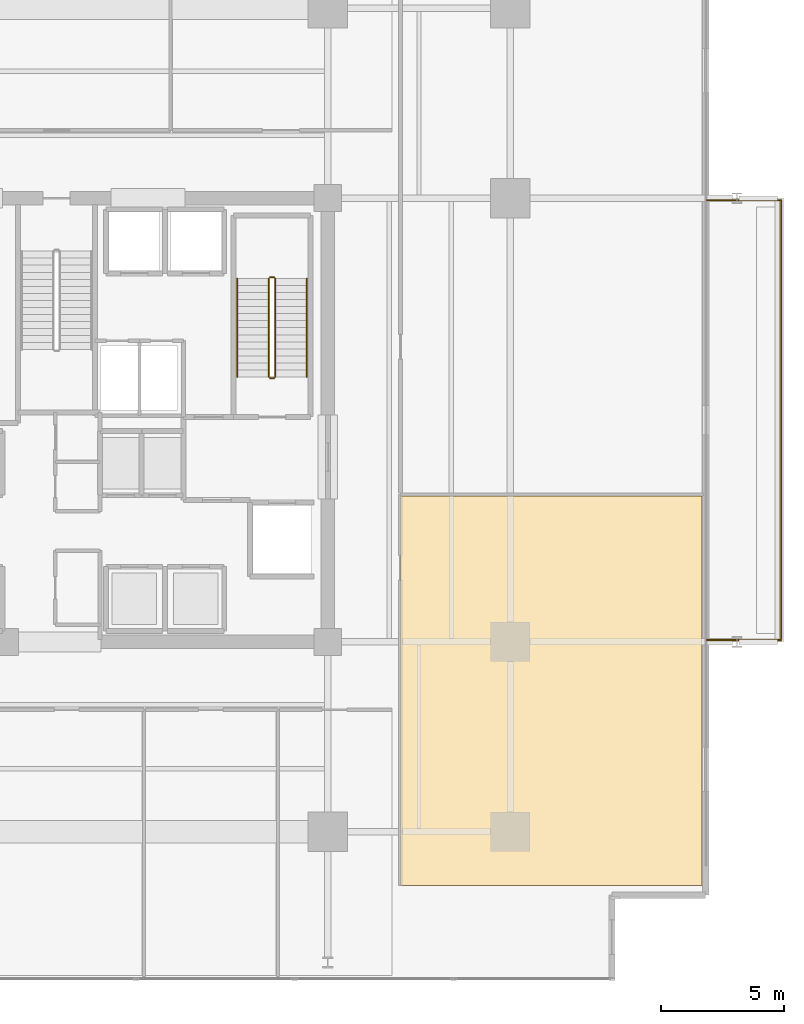
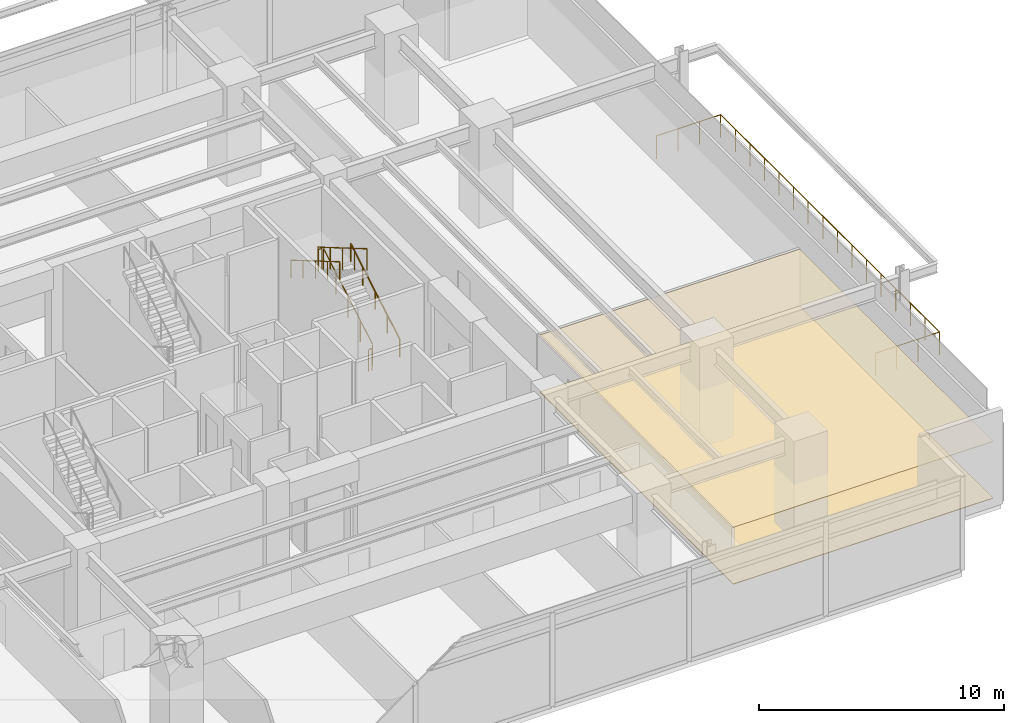
# One storey, part 22 of 24: 7 railings, 2 coverings.
"""IFC4 building model written with IfcOpenShell, lengths in metres."""

from ifc_helpers import new_model, si_unit, direction, frame, origin, origin_2d, place, context, subcontext, project, spatial, polyline, circle, outline, extrude, material, layer, layer_set, type_object, element, save


model = new_model("IFC4")

# Units and contexts
model_context = context("Model", 3, precision=1e-05, world=origin(), true_north=direction((0.0, 1.0)))
body_context = subcontext(model_context, "Body", "Model", "MODEL_VIEW")
ifc_project = project(units=[si_unit("LENGTHUNIT", "METRE"), si_unit("AREAUNIT", "SQUARE_METRE"), si_unit("VOLUMEUNIT", "CUBIC_METRE"), si_unit("PLANEANGLEUNIT", "RADIAN"), si_unit("MASSUNIT", "GRAM", prefix="KILO")], contexts=[model_context])

# Site, building, storey
site_placement = place(None, origin())
site = spatial("IfcSite", under=ifc_project, at=site_placement, CompositionType="ELEMENT")
building_placement = place(site_placement, origin())
building = spatial("IfcBuilding", under=site, at=building_placement, Name="Kovane Verandah Tower", CompositionType="ELEMENT")
storey_placement = place(building_placement, frame((0.0, 0.0, 118.39990234375)))
storey = spatial("IfcBuildingStorey", under=building, at=storey_placement, Name="L27", CompositionType="ELEMENT", Elevation=118.39990234375)

# Coverings
ifc_material_1 = material(Name="Perforated Acoustic Mineral-Fibre Ceiling Tile", Category="gypsum")
ifc_layer_1 = layer(ifc_material_1, 0.02490234375)
ifc_layer_set_1 = layer_set([ifc_layer_1], Name="Perforated Acoustic Mineral-Fibre Ceiling Tile")
covering_type_1 = type_object("IfcCoveringType", Name="CV-CEIL-25", PredefinedType="CEILING", material=ifc_layer_set_1)
covering_1_placement = place(storey_placement, frame((0.0, 0.0, 2.8251953125)))
element("IfcCovering", 1, at=covering_1_placement, inside=storey, type_object=covering_type_1, Name="L27 Meeting Room E1 Acoustic Ceiling", PredefinedType="CEILING", context=body_context, shape_type="SweptSolid", body=[
    extrude(outline(polyline([(53.949951171875, 8.629150390625), (66.179931640625, 8.629150390625), (66.179931640625, 24.41064453125), (53.949951171875, 24.41064453125), (53.949951171875, 8.629150390625)])), origin(), (0.0, 0.0, 1.0), 0.02490234375),
])
ifc_material_2 = material(Name="Polished Terrazzo and Raised-Access Carpet Tile Finish", Category="concrete")
ifc_layer_2 = layer(ifc_material_2, 0.030029296875)
ifc_layer_set_2 = layer_set([ifc_layer_2], Name="Polished Terrazzo and Raised-Access Carpet Tile Finish")
covering_type_2 = type_object("IfcCoveringType", Name="CV-FLOR-30", PredefinedType="FLOORING", material=ifc_layer_set_2)
covering_2_placement = place(storey_placement, origin())
element("IfcCovering", 2, at=covering_2_placement, inside=storey, type_object=covering_type_2, Name="L27 Meeting Room E1 Floor Finish", PredefinedType="FLOORING", context=body_context, shape_type="SweptSolid", body=[
    extrude(outline(polyline([(53.949951171875, 8.629150390625), (66.179931640625, 8.629150390625), (66.179931640625, 24.41064453125), (53.949951171875, 24.41064453125), (53.949951171875, 8.629150390625)])), origin(), (0.0, 0.0, 1.0), 0.030029296875),
])

# Railings
ifc_material_3 = material(Name="Laminated Glass and Pale-Champagne Stainless Balustrade", Category="glass")
railing_type_1 = type_object("IfcRailingType", Name="RL-BAL-1150", PredefinedType="BALUSTRADE", material=ifc_material_3)
railing_1_placement = place(storey_placement, frame((66.3798828125, 18.580078125, 0.0)))
element("IfcRailing", 3, at=railing_1_placement, inside=storey, type_object=railing_type_1, Name="L27 E Verandah Glass Balustrade", PredefinedType="BALUSTRADE", context=body_context, shape_type="SweptSolid", body=[
    extrude(circle(Radius=0.02392578125, at=origin_2d()), frame((0.0, 0.0, 1.1259765625), z_axis=(1.0, 0.0, 0.0), x_axis=(0.0, 1.0, 0.0)), (0.0, 0.0, 1.0), 3.02001953125),
    extrude(circle(Radius=0.02392578125, at=origin_2d()), frame((3.02001953125, 0.0, 1.1259765625), z_axis=(0.0, 1.0, 0.0), x_axis=(-1.0, 0.0, 0.0)), (0.0, 0.0, 1.0), 17.83984375),
    extrude(circle(Radius=0.02392578125, at=origin_2d()), frame((3.02001953125, 17.83984375, 1.1259765625), z_axis=(-1.0, 0.0, 0.0), x_axis=(0.0, -1.0, 0.0)), (0.0, 0.0, 1.0), 3.02001953125),
    extrude(circle(Radius=0.02099609375, at=origin_2d()), origin(), (0.0, 0.0, 1.0), 1.101806640625),
    extrude(circle(Radius=0.02099609375, at=origin_2d()), frame((1.006591796875, 0.0, 0.0)), (0.0, 0.0, 1.0), 1.101806640625),
    extrude(circle(Radius=0.02099609375, at=origin_2d()), frame((2.013427734375, 0.0, 0.0)), (0.0, 0.0, 1.0), 1.101806640625),
    extrude(circle(Radius=0.02099609375, at=origin_2d()), frame((3.02001953125, 0.0, 0.0)), (0.0, 0.0, 1.0), 1.101806640625),
    extrude(circle(Radius=0.02099609375, at=origin_2d()), frame((3.02001953125, 1.189208984375, 0.0)), (0.0, 0.0, 1.0), 1.101806640625),
    extrude(circle(Radius=0.02099609375, at=origin_2d()), frame((3.02001953125, 2.378662109375, 0.0)), (0.0, 0.0, 1.0), 1.101806640625),
    extrude(circle(Radius=0.02099609375, at=origin_2d()), frame((3.02001953125, 3.56787109375, 0.0)), (0.0, 0.0, 1.0), 1.101806640625),
    extrude(circle(Radius=0.02099609375, at=origin_2d()), frame((3.02001953125, 4.75732421875, 0.0)), (0.0, 0.0, 1.0), 1.101806640625),
    extrude(circle(Radius=0.02099609375, at=origin_2d()), frame((3.02001953125, 5.946533203125, 0.0)), (0.0, 0.0, 1.0), 1.101806640625),
    extrude(circle(Radius=0.02099609375, at=origin_2d()), frame((3.02001953125, 7.135986328125, 0.0)), (0.0, 0.0, 1.0), 1.101806640625),
    extrude(circle(Radius=0.02099609375, at=origin_2d()), frame((3.02001953125, 8.3251953125, 0.0)), (0.0, 0.0, 1.0), 1.101806640625),
    extrude(circle(Radius=0.02099609375, at=origin_2d()), frame((3.02001953125, 9.5146484375, 0.0)), (0.0, 0.0, 1.0), 1.101806640625),
    extrude(circle(Radius=0.02099609375, at=origin_2d()), frame((3.02001953125, 10.703857421875, 0.0)), (0.0, 0.0, 1.0), 1.101806640625),
    extrude(circle(Radius=0.02099609375, at=origin_2d()), frame((3.02001953125, 11.893310546875, 0.0)), (0.0, 0.0, 1.0), 1.101806640625),
    extrude(circle(Radius=0.02099609375, at=origin_2d()), frame((3.02001953125, 13.08251953125, 0.0)), (0.0, 0.0, 1.0), 1.101806640625),
    extrude(circle(Radius=0.02099609375, at=origin_2d()), frame((3.02001953125, 14.27197265625, 0.0)), (0.0, 0.0, 1.0), 1.101806640625),
    extrude(circle(Radius=0.02099609375, at=origin_2d()), frame((3.02001953125, 15.461181640625, 0.0)), (0.0, 0.0, 1.0), 1.101806640625),
    extrude(circle(Radius=0.02099609375, at=origin_2d()), frame((3.02001953125, 16.650634765625, 0.0)), (0.0, 0.0, 1.0), 1.101806640625),
    extrude(circle(Radius=0.02099609375, at=origin_2d()), frame((3.02001953125, 17.83984375, 0.0)), (0.0, 0.0, 1.0), 1.101806640625),
    extrude(circle(Radius=0.02099609375, at=origin_2d()), frame((2.013427734375, 17.83984375, 0.0)), (0.0, 0.0, 1.0), 1.101806640625),
    extrude(circle(Radius=0.02099609375, at=origin_2d()), frame((1.006591796875, 17.83984375, 0.0)), (0.0, 0.0, 1.0), 1.101806640625),
    extrude(circle(Radius=0.02099609375, at=origin_2d()), frame((0.0, 17.83984375, 0.0)), (0.0, 0.0, 1.0), 1.101806640625),
])
ifc_material_4 = material(Name="Brushed Stainless Steel Handrail", Category="steel")
railing_type_2 = type_object("IfcRailingType", Name="RL-HAND-920", PredefinedType="HANDRAIL", material=ifc_material_4)
railing_2_placement = place(storey_placement, frame((50.14990234375, 29.25, 0.166748046875)))
element("IfcRailing", 4, at=railing_2_placement, inside=storey, type_object=railing_type_2, Name="L27 ST-02 stair handrail 1", PredefinedType="HANDRAIL", context=body_context, shape_type="SweptSolid", body=[
    extrude(circle(Radius=0.02392578125, at=origin_2d()), frame((0.0, 0.0, 0.8759765625), z_axis=(0.0, 0.863236243904, 0.504800145811), x_axis=(-1.0, 0.0, 0.0)), (0.0, 0.0, 1.0), 4.6220703125),
    extrude(circle(Radius=0.02099609375, at=origin_2d()), origin(), (0.0, 0.0, 1.0), 0.851806640625),
    extrude(circle(Radius=0.02099609375, at=origin_2d()), frame((0.0, 0.99755859375, 0.583251953125)), (0.0, 0.0, 1.0), 0.851806640625),
    extrude(circle(Radius=0.02099609375, at=origin_2d()), frame((0.0, 1.9951171875, 1.16650390625)), (0.0, 0.0, 1.0), 0.851806640625),
    extrude(circle(Radius=0.02099609375, at=origin_2d()), frame((0.0, 2.992431640625, 1.75)), (0.0, 0.0, 1.0), 0.851806640625),
    extrude(circle(Radius=0.02099609375, at=origin_2d()), frame((0.0, 3.989990234375, 2.333251953125)), (0.0, 0.0, 1.0), 0.851806640625),
])
railing_3_placement = place(storey_placement, frame((47.330078125, 33.239990234375, 2.666748046875)))
element("IfcRailing", 5, at=railing_3_placement, inside=storey, type_object=railing_type_2, Name="L27 ST-02 stair handrail 2", PredefinedType="HANDRAIL", context=body_context, shape_type="SweptSolid", body=[
    extrude(circle(Radius=0.02392578125, at=origin_2d()), frame((0.0, 0.0, 0.8759765625), z_axis=(0.0, -0.863236243904, 0.504800145811), x_axis=(1.0, 0.0, 0.0)), (0.0, 0.0, 1.0), 4.6220703125),
    extrude(circle(Radius=0.02099609375, at=origin_2d()), origin(), (0.0, 0.0, 1.0), 0.851806640625),
    extrude(circle(Radius=0.02099609375, at=origin_2d()), frame((0.0, -0.99755859375, 0.583251953125)), (0.0, 0.0, 1.0), 0.851806640625),
    extrude(circle(Radius=0.02099609375, at=origin_2d()), frame((0.0, -1.9951171875, 1.16650390625)), (0.0, 0.0, 1.0), 0.851806640625),
    extrude(circle(Radius=0.02099609375, at=origin_2d()), frame((0.0, -2.992431640625, 1.75)), (0.0, 0.0, 1.0), 0.851806640625),
    extrude(circle(Radius=0.02099609375, at=origin_2d()), frame((0.0, -3.989990234375, 2.333251953125)), (0.0, 0.0, 1.0), 0.851806640625),
])
ifc_material_5 = material(Name="Painted Steel Stairwell Guardrail", Category="steel")
railing_type_3 = type_object("IfcRailingType", Name="RL-STGUARD-1120", PredefinedType="GUARDRAIL", material=ifc_material_5)
railing_4_placement = place(storey_placement, frame((48.8701171875, 29.25, 0.166748046875)))
element("IfcRailing", 6, at=railing_4_placement, inside=storey, type_object=railing_type_3, Name="L27 ST-02 stair guard 1", PredefinedType="GUARDRAIL", context=body_context, shape_type="SweptSolid", body=[
    extrude(circle(Radius=0.02392578125, at=origin_2d()), frame((0.0, 0.0, 1.076171875), z_axis=(0.0, 0.863236243904, 0.504800145811), x_axis=(-1.0, 0.0, 0.0)), (0.0, 0.0, 1.0), 4.6220703125),
    extrude(circle(Radius=0.02099609375, at=origin_2d()), origin(), (0.0, 0.0, 1.0), 1.052001953125),
    extrude(circle(Radius=0.02099609375, at=origin_2d()), frame((0.0, 0.99755859375, 0.583251953125)), (0.0, 0.0, 1.0), 1.052001953125),
    extrude(circle(Radius=0.02099609375, at=origin_2d()), frame((0.0, 1.9951171875, 1.16650390625)), (0.0, 0.0, 1.0), 1.052001953125),
    extrude(circle(Radius=0.02099609375, at=origin_2d()), frame((0.0, 2.992431640625, 1.75)), (0.0, 0.0, 1.0), 1.052001953125),
    extrude(circle(Radius=0.02099609375, at=origin_2d()), frame((0.0, 3.989990234375, 2.333251953125)), (0.0, 0.0, 1.0), 1.052001953125),
])
railing_5_placement = place(storey_placement, frame((48.820068359375, 33.2900390625, 2.5)))
element("IfcRailing", 7, at=railing_5_placement, inside=storey, type_object=railing_type_3, Name="L27 ST-02 stair guard 2", PredefinedType="GUARDRAIL", context=body_context, shape_type="SweptSolid", body=[
    extrude(circle(Radius=0.02392578125, at=origin_2d()), frame((0.0, 0.0, 1.076171875), z_axis=(-1.0, 0.0, 0.0), x_axis=(0.0, -1.0, 0.0)), (0.0, 0.0, 1.0), 0.16015625),
    extrude(circle(Radius=0.02099609375, at=origin_2d()), origin(), (0.0, 0.0, 1.0), 1.052001953125),
    extrude(circle(Radius=0.02099609375, at=origin_2d()), frame((-0.16015625, 0.0, 0.0)), (0.0, 0.0, 1.0), 1.052001953125),
])
railing_6_placement = place(storey_placement, frame((48.610107421875, 33.239990234375, 2.666748046875)))
element("IfcRailing", 8, at=railing_6_placement, inside=storey, type_object=railing_type_3, Name="L27 ST-02 stair guard 3", PredefinedType="GUARDRAIL", context=body_context, shape_type="SweptSolid", body=[
    extrude(circle(Radius=0.02392578125, at=origin_2d()), frame((0.0, 0.0, 1.076171875), z_axis=(0.0, -0.863236243904, 0.504800145811), x_axis=(1.0, 0.0, 0.0)), (0.0, 0.0, 1.0), 4.6220703125),
    extrude(circle(Radius=0.02099609375, at=origin_2d()), origin(), (0.0, 0.0, 1.0), 1.052001953125),
    extrude(circle(Radius=0.02099609375, at=origin_2d()), frame((0.0, -0.99755859375, 0.583251953125)), (0.0, 0.0, 1.0), 1.052001953125),
    extrude(circle(Radius=0.02099609375, at=origin_2d()), frame((0.0, -1.9951171875, 1.16650390625)), (0.0, 0.0, 1.0), 1.052001953125),
    extrude(circle(Radius=0.02099609375, at=origin_2d()), frame((0.0, -2.992431640625, 1.75)), (0.0, 0.0, 1.0), 1.052001953125),
    extrude(circle(Radius=0.02099609375, at=origin_2d()), frame((0.0, -3.989990234375, 2.333251953125)), (0.0, 0.0, 1.0), 1.052001953125),
])
railing_7_placement = place(storey_placement, frame((48.820068359375, 29.199951171875, 0.0)))
element("IfcRailing", 9, at=railing_7_placement, inside=storey, type_object=railing_type_3, Name="L27 ST-02 stair guard 4", PredefinedType="GUARDRAIL", context=body_context, shape_type="SweptSolid", body=[
    extrude(circle(Radius=0.02392578125, at=origin_2d()), frame((0.0, 0.0, 1.076171875), z_axis=(-1.0, 0.0, 0.0), x_axis=(0.0, -1.0, 0.0)), (0.0, 0.0, 1.0), 0.16015625),
    extrude(circle(Radius=0.02099609375, at=origin_2d()), origin(), (0.0, 0.0, 1.0), 1.052001953125),
    extrude(circle(Radius=0.02099609375, at=origin_2d()), frame((-0.16015625, 0.0, 0.0)), (0.0, 0.0, 1.0), 1.052001953125),
])

save(model, "model.ifc")
